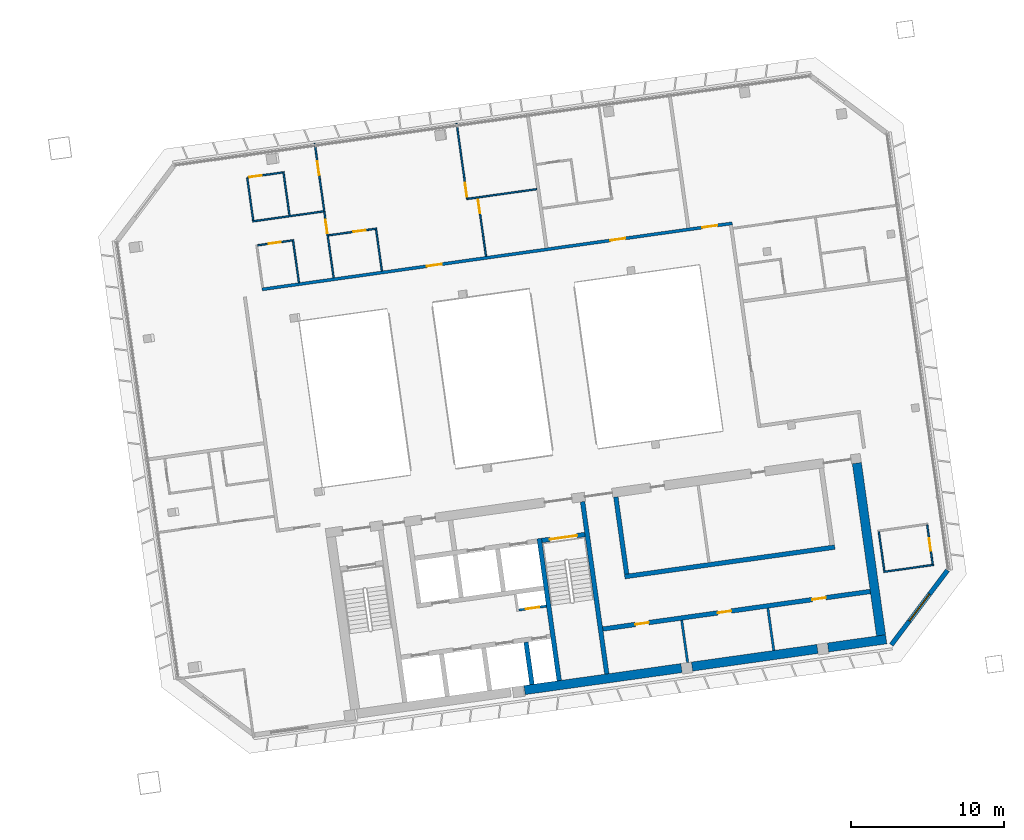
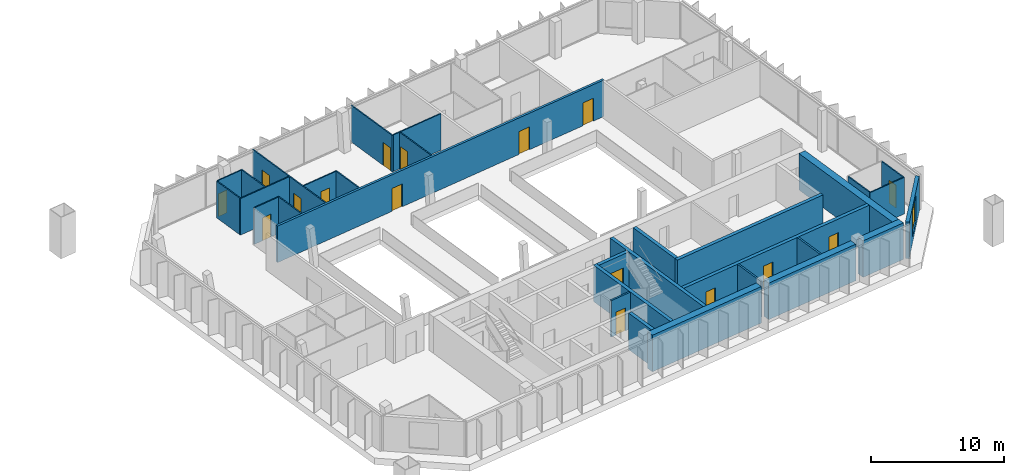
# One storey, part 16 of 20: 31 walls, 16 doors, 1 window, 17 openings.
"""IFC4 building model written with IfcOpenShell, lengths in metres."""

from ifc_helpers import new_model, si_unit, direction, frame, frame_2d, origin, place, context, subcontext, project, spatial, rectangle, extrude, material, layer, layer_set, type_object, element, fill, save


model = new_model("IFC4")

# Units and contexts
model_context = context("Model", 3, precision=1e-05, world=origin(), true_north=direction((0.0, 1.0)))
body_context = subcontext(model_context, "Body", "Model", "MODEL_VIEW")
ifc_project = project(units=[si_unit("LENGTHUNIT", "METRE"), si_unit("AREAUNIT", "SQUARE_METRE"), si_unit("VOLUMEUNIT", "CUBIC_METRE"), si_unit("PLANEANGLEUNIT", "RADIAN"), si_unit("MASSUNIT", "GRAM", prefix="KILO")], contexts=[model_context])

# Site, building, storey
site_placement = place(None, origin())
site = spatial("IfcSite", under=ifc_project, at=site_placement, CompositionType="ELEMENT")
building_placement = place(site_placement, origin())
building = spatial("IfcBuilding", under=site, at=building_placement, Name="Mirante Cascada Hotel Towers", CompositionType="ELEMENT")
storey_placement = place(building_placement, frame((0.0, 0.0, 224.2)))
storey = spatial("IfcBuildingStorey", under=building, at=storey_placement, Name="L53", CompositionType="ELEMENT", Elevation=224.2)

# Wall, openings, doors
ifc_material_1 = material(Name="Fire-rated plasterboard on metal studs")
ifc_layer_1 = layer(ifc_material_1, 0.2)
ifc_layer_set_1 = layer_set([ifc_layer_1], Name="Compartment wall 200 EI 120")
wall_type_1 = type_object("IfcWallType", Name="Compartment wall 200 EI 120", PredefinedType="PARTITIONING", material=ifc_layer_set_1)
wall_1_placement = place(storey_placement, frame((31.471, 8.305, 0.0), z_axis=(0.0, 0.0, 1.0), x_axis=(0.9902679, 0.1391745, 0.0)))
wall_1 = element("IfcWall", 1, at=wall_1_placement, inside=storey, type_object=wall_type_1, Name="Wall 2-L53-14", PredefinedType="PARTITIONING", context=body_context, shape_type="SweptSolid", body=[
    extrude(rectangle(XDim=31.1092, YDim=0.2, at=frame_2d((15.5546, 0.0))), origin(), (0.0, 0.0, 1.0), 3.35),
])
opening_1_placement = place(wall_1_placement, frame((10.8847, 0.0, 0.0)))
opening_1 = element("IfcOpeningElement", 2, at=opening_1_placement, cuts=wall_1, Name="Opening D2-L53-06", PredefinedType="OPENING", context=body_context, shape_type="SweptSolid", body=[
    extrude(rectangle(XDim=1.0, YDim=2.1, at=frame_2d((0.5, 1.05))), frame((0.0, 0.1, 0.0), z_axis=(0.0, -1.0, 0.0), x_axis=(1.0, 0.0, 0.0)), (0.0, 0.0, 1.0), 0.2),
])
opening_2_placement = place(wall_1_placement, frame((23.0244, 0.0, 0.0)))
opening_2 = element("IfcOpeningElement", 3, at=opening_2_placement, cuts=wall_1, Name="Opening D2-L53-07", PredefinedType="OPENING", context=body_context, shape_type="SweptSolid", body=[
    extrude(rectangle(XDim=1.0, YDim=2.1, at=frame_2d((0.5, 1.05))), frame((0.0, 0.1, 0.0), z_axis=(0.0, -1.0, 0.0), x_axis=(1.0, 0.0, 0.0)), (0.0, 0.0, 1.0), 0.2),
])
opening_3_placement = place(wall_1_placement, frame((29.1142, 0.0, 0.0)))
opening_3 = element("IfcOpeningElement", 4, at=opening_3_placement, cuts=wall_1, Name="Opening D2-L53-08", PredefinedType="OPENING", context=body_context, shape_type="SweptSolid", body=[
    extrude(rectangle(XDim=1.0, YDim=2.1, at=frame_2d((0.5, 1.05))), frame((0.0, 0.1, 0.0), z_axis=(0.0, -1.0, 0.0), x_axis=(1.0, 0.0, 0.0)), (0.0, 0.0, 1.0), 0.2),
])
ifc_material_2 = material(Name="Fire-rated timber door leaf", Category="wood")
door_type_1 = type_object("IfcDoorType", Name="Entrance door DG1 1000x2100 EI 60", OperationType="SINGLE_SWING_LEFT", PredefinedType="DOOR", material=ifc_material_2)
door_1_placement = place(opening_1_placement, origin())
door_1 = element("IfcDoor", 5, at=door_1_placement, inside=storey, type_object=door_type_1, Name="Door D2-L53-06", OperationType="SINGLE_SWING_LEFT", OverallHeight=2.1, OverallWidth=1.0, PredefinedType="DOOR", context=body_context, shape_type="SweptSolid", body=[
    extrude(rectangle(XDim=1.0, YDim=2.1, at=frame_2d((0.5, 1.05))), frame((0.0, 0.025, 0.0), z_axis=(0.0, -1.0, 0.0), x_axis=(1.0, 0.0, 0.0)), (0.0, 0.0, 1.0), 0.05),
])
fill(opening_1, door_1)
door_2_placement = place(opening_2_placement, origin())
door_2 = element("IfcDoor", 6, at=door_2_placement, inside=storey, type_object=door_type_1, Name="Door D2-L53-07", OperationType="SINGLE_SWING_LEFT", OverallHeight=2.1, OverallWidth=1.0, PredefinedType="DOOR", context=body_context, shape_type="SweptSolid", body=[
    extrude(rectangle(XDim=1.0, YDim=2.1, at=frame_2d((0.5, 1.05))), frame((0.0, 0.025, 0.0), z_axis=(0.0, -1.0, 0.0), x_axis=(1.0, 0.0, 0.0)), (0.0, 0.0, 1.0), 0.05),
])
fill(opening_2, door_2)
door_3_placement = place(opening_3_placement, origin())
door_3 = element("IfcDoor", 7, at=door_3_placement, inside=storey, type_object=door_type_1, Name="Door D2-L53-08", OperationType="SINGLE_SWING_LEFT", OverallHeight=2.1, OverallWidth=1.0, PredefinedType="DOOR", context=body_context, shape_type="SweptSolid", body=[
    extrude(rectangle(XDim=1.0, YDim=2.1, at=frame_2d((0.5, 1.05))), frame((0.0, 0.025, 0.0), z_axis=(0.0, -1.0, 0.0), x_axis=(1.0, 0.0, 0.0)), (0.0, 0.0, 1.0), 0.05),
])
fill(opening_3, door_3)

# Wall, opening, door
ifc_material_3 = material(Name="Masonry block", Category="masonry")
ifc_layer_2 = layer(ifc_material_3, 0.15)
ifc_layer_set_2 = layer_set([ifc_layer_2], Name="Core room partition 150 block EI 30")
wall_type_2 = type_object("IfcWallType", Name="Core room partition 150 block EI 30", PredefinedType="PARTITIONING", material=ifc_layer_set_2)
wall_2_placement = place(storey_placement, frame((48.2933, -12.7083, 0.0), z_axis=(0.0, 0.0, 1.0), x_axis=(0.990268, 0.1391734, 0.0)))
wall_2 = element("IfcWall", 8, at=wall_2_placement, inside=storey, type_object=wall_type_2, Name="Core wall partition T2 L53 3", PredefinedType="PARTITIONING", context=body_context, shape_type="SweptSolid", body=[
    extrude(rectangle(XDim=1.8251, YDim=0.15, at=frame_2d((0.9126, 0.0))), origin(), (0.0, 0.0, 1.0), 3.35),
])
opening_4_placement = place(wall_2_placement, frame((0.4625, 0.0, 0.0)))
opening_4 = element("IfcOpeningElement", 9, at=opening_4_placement, cuts=wall_2, Name="Opening D2-53-C15", PredefinedType="OPENING", context=body_context, shape_type="SweptSolid", body=[
    extrude(rectangle(XDim=0.9, YDim=2.1, at=frame_2d((0.45, 1.05))), frame((0.0, 0.075, 0.0), z_axis=(0.0, -1.0, 0.0), x_axis=(1.0, 0.0, 0.0)), (0.0, 0.0, 1.0), 0.15),
])
ifc_material_4 = material(Name="Hollow metal fire door leaf")
door_type_2 = type_object("IfcDoorType", Name="Fire door 900x2100 FD60", OperationType="NOTDEFINED", PredefinedType="DOOR", material=ifc_material_4)
door_4_placement = place(opening_4_placement, frame((0.9, 0.0, 0.0), z_axis=(0.0, 0.0, 1.0), x_axis=(-1.0, 0.0, 0.0)))
door_4 = element("IfcDoor", 10, at=door_4_placement, inside=storey, type_object=door_type_2, Name="Riser door T2 L53 15", OperationType="SINGLE_SWING_RIGHT", OverallHeight=2.1, OverallWidth=0.9, PredefinedType="DOOR", context=body_context, shape_type="SweptSolid", body=[
    extrude(rectangle(XDim=0.9, YDim=2.1, at=frame_2d((0.45, 1.05))), frame((0.0, 0.025, 0.0), z_axis=(0.0, -1.0, 0.0), x_axis=(1.0, 0.0, 0.0)), (0.0, 0.0, 1.0), 0.05),
])
fill(opening_4, door_4)

# Walls
for number, where, z_axis, x_axis, name in (
    (11, (59.3553, -16.1523, 0.0), (0.0, 0.0, 1.0), (-0.139176, 0.9902677, 0.0), "Core wall partition T2 L53 5"),
    (12, (64.9998, -15.359, 0.0), (0.0, 0.0, 1.0), (-0.139176, 0.9902677, 0.0), "Core wall partition T2 L53 6"),
):
    element("IfcWall", number, at=place(storey_placement, frame(where, z_axis=z_axis, x_axis=x_axis)), inside=storey, type_object=wall_type_2, Name=name, PredefinedType="PARTITIONING", context=body_context, shape_type="SweptSolid", body=[
        extrude(rectangle(XDim=2.8001, YDim=0.15, at=frame_2d((1.4, 0.0))), origin(), (0.0, 0.0, 1.0), 3.35),
    ])

# Wall, openings, doors
ifc_material_5 = material(Name="Masonry block", Category="masonry")
ifc_layer_3 = layer(ifc_material_5, 0.3)
ifc_layer_set_3 = layer_set([ifc_layer_3], Name="Core wall 300 block EI 120")
wall_type_3 = type_object("IfcWallType", Name="Core wall 300 block EI 120", PredefinedType="PARTITIONING", material=ifc_layer_set_3)
wall_3_placement = place(storey_placement, frame((53.7953, -13.9547, 0.0), z_axis=(0.0, 0.0, 1.0), x_axis=(0.9902678, 0.1391747, 0.0)))
wall_3 = element("IfcWall", 13, at=wall_3_placement, inside=storey, type_object=wall_type_3, Name="Core wall partition T2 L53 4", PredefinedType="PARTITIONING", context=body_context, shape_type="SweptSolid", body=[
    extrude(rectangle(XDim=17.7001, YDim=0.3, at=frame_2d((8.85, 0.0))), origin(), (0.0, 0.0, 1.0), 3.35),
])
opening_5_placement = place(wall_3_placement, frame((2.15, 0.0, 0.0)))
opening_5 = element("IfcOpeningElement", 14, at=opening_5_placement, cuts=wall_3, Name="Opening D2-53-C17", PredefinedType="OPENING", context=body_context, shape_type="SweptSolid", body=[
    extrude(rectangle(XDim=0.9, YDim=2.1, at=frame_2d((0.45, 1.05))), frame((0.0, 0.15, 0.0), z_axis=(0.0, -1.0, 0.0), x_axis=(1.0, 0.0, 0.0)), (0.0, 0.0, 1.0), 0.3),
])
opening_6_placement = place(wall_3_placement, frame((7.6, 0.0, 0.0)))
opening_6 = element("IfcOpeningElement", 15, at=opening_6_placement, cuts=wall_3, Name="Opening D2-53-C18", PredefinedType="OPENING", context=body_context, shape_type="SweptSolid", body=[
    extrude(rectangle(XDim=0.9, YDim=2.1, at=frame_2d((0.45, 1.05))), frame((0.0, 0.15, 0.0), z_axis=(0.0, -1.0, 0.0), x_axis=(1.0, 0.0, 0.0)), (0.0, 0.0, 1.0), 0.3),
])
opening_7_placement = place(wall_3_placement, frame((13.85, 0.0, 0.0)))
opening_7 = element("IfcOpeningElement", 16, at=opening_7_placement, cuts=wall_3, Name="Opening D2-53-C19", PredefinedType="OPENING", context=body_context, shape_type="SweptSolid", body=[
    extrude(rectangle(XDim=0.9, YDim=2.1, at=frame_2d((0.45, 1.05))), frame((0.0, 0.15, 0.0), z_axis=(0.0, -1.0, 0.0), x_axis=(1.0, 0.0, 0.0)), (0.0, 0.0, 1.0), 0.3),
])
door_5_placement = place(opening_5_placement, frame((0.9, 0.0, 0.0), z_axis=(0.0, 0.0, 1.0), x_axis=(-1.0, 0.0, 0.0)))
door_5 = element("IfcDoor", 17, at=door_5_placement, inside=storey, type_object=door_type_2, Name="Room door T2 L53 17", OperationType="SINGLE_SWING_LEFT", OverallHeight=2.1, OverallWidth=0.9, PredefinedType="DOOR", context=body_context, shape_type="SweptSolid", body=[
    extrude(rectangle(XDim=0.9, YDim=2.1, at=frame_2d((0.45, 1.05))), frame((0.0, 0.025, 0.0), z_axis=(0.0, -1.0, 0.0), x_axis=(1.0, 0.0, 0.0)), (0.0, 0.0, 1.0), 0.05),
])
fill(opening_5, door_5)
door_6_placement = place(opening_6_placement, frame((0.9, 0.0, 0.0), z_axis=(0.0, 0.0, 1.0), x_axis=(-1.0, 0.0, 0.0)))
door_6 = element("IfcDoor", 18, at=door_6_placement, inside=storey, type_object=door_type_2, Name="Room door T2 L53 18", OperationType="SINGLE_SWING_LEFT", OverallHeight=2.1, OverallWidth=0.9, PredefinedType="DOOR", context=body_context, shape_type="SweptSolid", body=[
    extrude(rectangle(XDim=0.9, YDim=2.1, at=frame_2d((0.45, 1.05))), frame((0.0, 0.025, 0.0), z_axis=(0.0, -1.0, 0.0), x_axis=(1.0, 0.0, 0.0)), (0.0, 0.0, 1.0), 0.05),
])
fill(opening_6, door_6)
door_7_placement = place(opening_7_placement, frame((0.9, 0.0, 0.0), z_axis=(0.0, 0.0, 1.0), x_axis=(-1.0, 0.0, 0.0)))
door_7 = element("IfcDoor", 19, at=door_7_placement, inside=storey, type_object=door_type_2, Name="Room door T2 L53 19", OperationType="SINGLE_SWING_RIGHT", OverallHeight=2.1, OverallWidth=0.9, PredefinedType="DOOR", context=body_context, shape_type="SweptSolid", body=[
    extrude(rectangle(XDim=0.9, YDim=2.1, at=frame_2d((0.45, 1.05))), frame((0.0, 0.025, 0.0), z_axis=(0.0, -1.0, 0.0), x_axis=(1.0, 0.0, 0.0)), (0.0, 0.0, 1.0), 0.05),
])
fill(opening_7, door_7)

# Wall
ifc_material_6 = material(Name="Plasterboard on metal studs")
ifc_layer_4 = layer(ifc_material_6, 0.1)
ifc_layer_set_4 = layer_set([ifc_layer_4], Name="Partition 100")
wall_type_4 = type_object("IfcWallType", Name="Partition 100", PredefinedType="PARTITIONING", material=ifc_layer_set_4)
wall_4_placement = place(storey_placement, frame((72.2028, -10.2064, 0.0), z_axis=(0.0, 0.0, 1.0), x_axis=(0.990267, 0.139181, 0.0)))
element("IfcWall", 20, at=wall_4_placement, inside=storey, type_object=wall_type_4, Name="Wall 2-L53-02", PredefinedType="PARTITIONING", context=body_context, shape_type="SweptSolid", body=[
    extrude(rectangle(XDim=3.3, YDim=0.1, at=frame_2d((1.65, 0.0))), origin(), (0.0, 0.0, 1.0), 3.35),
])

# Wall, opening, door
wall_5_placement = place(storey_placement, frame((31.1665, 11.1907, 0.0), z_axis=(0.0, 0.0, 1.0), x_axis=(0.9902678, 0.1391749, 0.0)))
wall_5 = element("IfcWall", 21, at=wall_5_placement, inside=storey, type_object=wall_type_4, Name="Wall 2-L53-16", PredefinedType="PARTITIONING", context=body_context, shape_type="SweptSolid", body=[
    extrude(rectangle(XDim=2.3, YDim=0.1, at=frame_2d((1.15, 0.0))), origin(), (0.0, 0.0, 1.0), 3.35),
])
opening_8_placement = place(wall_5_placement, frame((0.75, 0.0, 0.0)))
opening_8 = element("IfcOpeningElement", 22, at=opening_8_placement, cuts=wall_5, Name="Opening D2-L53-09", PredefinedType="OPENING", context=body_context, shape_type="SweptSolid", body=[
    extrude(rectangle(XDim=0.8, YDim=2.1, at=frame_2d((0.4, 1.05))), frame((0.0, 0.05, 0.0), z_axis=(0.0, -1.0, 0.0), x_axis=(1.0, 0.0, 0.0)), (0.0, 0.0, 1.0), 0.1),
])
ifc_material_7 = material(Name="Timber door leaf", Category="wood")
door_type_3 = type_object("IfcDoorType", Name="Bathroom door DG4 800x2100", OperationType="SINGLE_SWING_LEFT", PredefinedType="DOOR", material=ifc_material_7)
door_8_placement = place(opening_8_placement, frame((0.8, 0.0, 0.0), z_axis=(0.0, 0.0, 1.0), x_axis=(-1.0, 0.0, 0.0)))
door_8 = element("IfcDoor", 23, at=door_8_placement, inside=storey, type_object=door_type_3, Name="Door D2-L53-09", OperationType="SINGLE_SWING_RIGHT", OverallHeight=2.1, OverallWidth=0.8, PredefinedType="DOOR", context=body_context, shape_type="SweptSolid", body=[
    extrude(rectangle(XDim=0.8, YDim=2.1, at=frame_2d((0.4, 1.05))), frame((0.0, 0.025, 0.0), z_axis=(0.0, -1.0, 0.0), x_axis=(1.0, 0.0, 0.0)), (0.0, 0.0, 1.0), 0.05),
])
fill(opening_8, door_8)

wall_6_placement = place(storey_placement, frame((38.9795, 12.2888, 0.0), z_axis=(0.0, 0.0, 1.0), x_axis=(-0.9902656, -0.1391906, 0.0)))
wall_6 = element("IfcWall", 24, at=wall_6_placement, inside=storey, type_object=wall_type_4, Name="Wall 2-L53-17", PredefinedType="PARTITIONING", context=body_context, shape_type="SweptSolid", body=[
    extrude(rectangle(XDim=3.1949, YDim=0.1, at=frame_2d((1.5974, 0.0))), origin(), (0.0, 0.0, 1.0), 3.35),
])
opening_9_placement = place(wall_6_placement, frame((0.7398, 0.0, 0.0)))
opening_9 = element("IfcOpeningElement", 25, at=opening_9_placement, cuts=wall_6, Name="Opening D2-L53-10", PredefinedType="OPENING", context=body_context, shape_type="SweptSolid", body=[
    extrude(rectangle(XDim=0.8, YDim=2.1, at=frame_2d((0.4, 1.05))), frame((0.0, 0.05, 0.0), z_axis=(0.0, -1.0, 0.0), x_axis=(1.0, 0.0, 0.0)), (0.0, 0.0, 1.0), 0.1),
])
door_9_placement = place(opening_9_placement, frame((0.8, 0.0, 0.0), z_axis=(0.0, 0.0, 1.0), x_axis=(-1.0, 0.0, 0.0)))
door_9 = element("IfcDoor", 26, at=door_9_placement, inside=storey, type_object=door_type_3, Name="Door D2-L53-10", OperationType="SINGLE_SWING_RIGHT", OverallHeight=2.1, OverallWidth=0.8, PredefinedType="DOOR", context=body_context, shape_type="SweptSolid", body=[
    extrude(rectangle(XDim=0.8, YDim=2.1, at=frame_2d((0.4, 1.05))), frame((0.0, 0.025, 0.0), z_axis=(0.0, -1.0, 0.0), x_axis=(1.0, 0.0, 0.0)), (0.0, 0.0, 1.0), 0.05),
])
fill(opening_9, door_9)

# Walls
wall_7_placement = place(storey_placement, frame((44.961, 14.2402, 0.0), z_axis=(0.0, 0.0, 1.0), x_axis=(0.9902686, 0.1391692, 0.0)))
element("IfcWall", 27, at=wall_7_placement, inside=storey, type_object=wall_type_4, Name="Wall 2-L53-18", PredefinedType="PARTITIONING", context=body_context, shape_type="SweptSolid", body=[
    extrude(rectangle(XDim=4.5448, YDim=0.1, at=frame_2d((2.2724, 0.0))), origin(), (0.0, 0.0, 1.0), 3.35),
])
wall_8_placement = place(storey_placement, frame((30.8448, 12.7612, 0.0), z_axis=(0.0, 0.0, 1.0), x_axis=(0.9902681, 0.1391726, 0.0)))
element("IfcWall", 28, at=wall_8_placement, inside=storey, type_object=wall_type_4, Name="Wall 2-L53-20", PredefinedType="PARTITIONING", context=body_context, shape_type="SweptSolid", body=[
    extrude(rectangle(XDim=4.6949, YDim=0.1, at=frame_2d((2.3474, 0.0))), origin(), (0.0, 0.0, 1.0), 3.35),
])

# Wall, opening, door
wall_9_placement = place(storey_placement, frame((30.5402, 15.6469, 0.0), z_axis=(0.0, 0.0, 1.0), x_axis=(0.9902678, 0.1391749, 0.0)))
wall_9 = element("IfcWall", 29, at=wall_9_placement, inside=storey, type_object=wall_type_4, Name="Wall 2-L53-22", PredefinedType="PARTITIONING", context=body_context, shape_type="SweptSolid", body=[
    extrude(rectangle(XDim=2.3, YDim=0.1, at=frame_2d((1.15, 0.0))), origin(), (0.0, 0.0, 1.0), 3.35),
])
opening_10_placement = place(wall_9_placement, frame((0.1, 0.0, 0.0)))
opening_10 = element("IfcOpeningElement", 30, at=opening_10_placement, cuts=wall_9, Name="Opening D2-L53-13", PredefinedType="OPENING", context=body_context, shape_type="SweptSolid", body=[
    extrude(rectangle(XDim=0.8, YDim=2.1, at=frame_2d((0.4, 1.05))), frame((0.0, 0.05, 0.0), z_axis=(0.0, -1.0, 0.0), x_axis=(1.0, 0.0, 0.0)), (0.0, 0.0, 1.0), 0.1),
])
door_10_placement = place(opening_10_placement, frame((0.8, 0.0, 0.0), z_axis=(0.0, 0.0, 1.0), x_axis=(-1.0, 0.0, 0.0)))
door_10 = element("IfcDoor", 31, at=door_10_placement, inside=storey, type_object=door_type_3, Name="Door D2-L53-13", OperationType="SINGLE_SWING_RIGHT", OverallHeight=2.1, OverallWidth=0.8, PredefinedType="DOOR", context=body_context, shape_type="SweptSolid", body=[
    extrude(rectangle(XDim=0.8, YDim=2.1, at=frame_2d((0.4, 1.05))), frame((0.0, 0.025, 0.0), z_axis=(0.0, -1.0, 0.0), x_axis=(1.0, 0.0, 0.0)), (0.0, 0.0, 1.0), 0.05),
])
fill(opening_10, door_10)

# Walls
wall_10_placement = place(storey_placement, frame((30.4948, 15.6103, 0.0), z_axis=(0.0, 0.0, 1.0), x_axis=(0.139173, -0.9902681, 0.0)))
element("IfcWall", 32, at=wall_10_placement, inside=storey, type_object=wall_type_4, Name="Wall 2-L53-29", PredefinedType="PARTITIONING", context=body_context, shape_type="SweptSolid", body=[
    extrude(rectangle(XDim=2.7901, YDim=0.1, at=frame_2d((1.395, 0.0))), origin(), (0.0, 0.0, 1.0), 3.35),
])
wall_11_placement = place(storey_placement, frame((33.8833, 8.745, 0.0), z_axis=(0.0, 0.0, 1.0), x_axis=(-0.1391909, 0.9902656, 0.0)))
element("IfcWall", 33, at=wall_11_placement, inside=storey, type_object=wall_type_4, Name="Wall 2-L53-30", PredefinedType="PARTITIONING", context=body_context, shape_type="SweptSolid", body=[
    extrude(rectangle(XDim=2.85, YDim=0.1, at=frame_2d((1.425, 0.0))), origin(), (0.0, 0.0, 1.0), 3.35),
])
wall_12_placement = place(storey_placement, frame((32.8604, 16.0235, 0.0), z_axis=(0.0, 0.0, 1.0), x_axis=(0.1391714, -0.9902683, 0.0)))
element("IfcWall", 34, at=wall_12_placement, inside=storey, type_object=wall_type_4, Name="Wall 2-L53-31", PredefinedType="PARTITIONING", context=body_context, shape_type="SweptSolid", body=[
    extrude(rectangle(XDim=2.9, YDim=0.1, at=frame_2d((1.45, 0.0))), origin(), (0.0, 0.0, 1.0), 3.35),
])

# Wall, openings, doors
wall_13_placement = place(storey_placement, frame((36.1558, 9.0644, 0.0), z_axis=(0.0, 0.0, 1.0), x_axis=(-0.1391684, 0.9902687, 0.0)))
wall_13 = element("IfcWall", 35, at=wall_13_placement, inside=storey, type_object=wall_type_4, Name="Wall 2-L53-32", PredefinedType="PARTITIONING", context=body_context, shape_type="SweptSolid", body=[
    extrude(rectangle(XDim=8.9, YDim=0.1, at=frame_2d((4.45, 0.0))), origin(), (0.0, 0.0, 1.0), 3.35),
])
opening_11_placement = place(wall_13_placement, frame((2.95, 0.0, 0.0)))
opening_11 = element("IfcOpeningElement", 36, at=opening_11_placement, cuts=wall_13, Name="Opening D2-L53-18", PredefinedType="OPENING", context=body_context, shape_type="SweptSolid", body=[
    extrude(rectangle(XDim=0.9, YDim=2.1, at=frame_2d((0.45, 1.05))), frame((0.0, 0.05, 0.0), z_axis=(0.0, -1.0, 0.0), x_axis=(1.0, 0.0, 0.0)), (0.0, 0.0, 1.0), 0.1),
])
opening_12_placement = place(wall_13_placement, frame((6.8, 0.0, 0.0)))
opening_12 = element("IfcOpeningElement", 37, at=opening_12_placement, cuts=wall_13, Name="Opening D2-L53-19", PredefinedType="OPENING", context=body_context, shape_type="SweptSolid", body=[
    extrude(rectangle(XDim=0.9, YDim=2.1, at=frame_2d((0.45, 1.05))), frame((0.0, 0.05, 0.0), z_axis=(0.0, -1.0, 0.0), x_axis=(1.0, 0.0, 0.0)), (0.0, 0.0, 1.0), 0.1),
])
ifc_material_8 = material(Name="Timber door leaf", Category="wood")
door_type_4 = type_object("IfcDoorType", Name="Room door DG3 900x2100", OperationType="SINGLE_SWING_LEFT", PredefinedType="DOOR", material=ifc_material_8)
door_11_placement = place(opening_11_placement, frame((0.9, 0.0, 0.0), z_axis=(0.0, 0.0, 1.0), x_axis=(-1.0, 0.0, 0.0)))
door_11 = element("IfcDoor", 38, at=door_11_placement, inside=storey, type_object=door_type_4, Name="Door D2-L53-18", OperationType="SINGLE_SWING_RIGHT", OverallHeight=2.1, OverallWidth=0.9, PredefinedType="DOOR", context=body_context, shape_type="SweptSolid", body=[
    extrude(rectangle(XDim=0.9, YDim=2.1, at=frame_2d((0.45, 1.05))), frame((0.0, 0.025, 0.0), z_axis=(0.0, -1.0, 0.0), x_axis=(1.0, 0.0, 0.0)), (0.0, 0.0, 1.0), 0.05),
])
fill(opening_11, door_11)
door_12_placement = place(opening_12_placement, frame((0.9, 0.0, 0.0), z_axis=(0.0, 0.0, 1.0), x_axis=(-1.0, 0.0, 0.0)))
door_12 = element("IfcDoor", 39, at=door_12_placement, inside=storey, type_object=door_type_4, Name="Door D2-L53-19", OperationType="SINGLE_SWING_RIGHT", OverallHeight=2.1, OverallWidth=0.9, PredefinedType="DOOR", context=body_context, shape_type="SweptSolid", body=[
    extrude(rectangle(XDim=0.9, YDim=2.1, at=frame_2d((0.45, 1.05))), frame((0.0, 0.025, 0.0), z_axis=(0.0, -1.0, 0.0), x_axis=(1.0, 0.0, 0.0)), (0.0, 0.0, 1.0), 0.05),
])
fill(opening_12, door_12)

# Wall
wall_14_placement = place(storey_placement, frame((38.9369, 12.2323, 0.0), z_axis=(0.0, 0.0, 1.0), x_axis=(0.1391607, -0.9902698, 0.0)))
element("IfcWall", 40, at=wall_14_placement, inside=storey, type_object=wall_type_4, Name="Wall 2-L53-33", PredefinedType="PARTITIONING", context=body_context, shape_type="SweptSolid", body=[
    extrude(rectangle(XDim=2.7501, YDim=0.1, at=frame_2d((1.3751, 0.0))), origin(), (0.0, 0.0, 1.0), 3.35),
])

# Wall, opening, door
wall_15_placement = place(storey_placement, frame((44.9184, 14.1837, 0.0), z_axis=(0.0, 0.0, 1.0), x_axis=(-0.1391671, 0.9902689, 0.0)))
wall_15 = element("IfcWall", 41, at=wall_15_placement, inside=storey, type_object=wall_type_4, Name="Wall 2-L53-34", PredefinedType="PARTITIONING", context=body_context, shape_type="SweptSolid", body=[
    extrude(rectangle(XDim=5.05, YDim=0.1, at=frame_2d((2.525, 0.0))), origin(), (0.0, 0.0, 1.0), 3.35),
])
opening_13_placement = place(wall_15_placement, frame((0.2, 0.0, 0.0)))
opening_13 = element("IfcOpeningElement", 42, at=opening_13_placement, cuts=wall_15, Name="Opening D2-L53-20", PredefinedType="OPENING", context=body_context, shape_type="SweptSolid", body=[
    extrude(rectangle(XDim=0.9, YDim=2.1, at=frame_2d((0.45, 1.05))), frame((0.0, 0.05, 0.0), z_axis=(0.0, -1.0, 0.0), x_axis=(1.0, 0.0, 0.0)), (0.0, 0.0, 1.0), 0.1),
])
door_13_placement = place(opening_13_placement, origin())
door_13 = element("IfcDoor", 43, at=door_13_placement, inside=storey, type_object=door_type_4, Name="Door D2-L53-20", OperationType="SINGLE_SWING_LEFT", OverallHeight=2.1, OverallWidth=0.9, PredefinedType="DOOR", context=body_context, shape_type="SweptSolid", body=[
    extrude(rectangle(XDim=0.9, YDim=2.1, at=frame_2d((0.45, 1.05))), frame((0.0, 0.025, 0.0), z_axis=(0.0, -1.0, 0.0), x_axis=(1.0, 0.0, 0.0)), (0.0, 0.0, 1.0), 0.05),
])
fill(opening_13, door_13)

wall_16_placement = place(storey_placement, frame((45.6065, 14.2804, 0.0), z_axis=(0.0, 0.0, 1.0), x_axis=(0.1391701, -0.9902685, 0.0)))
wall_16 = element("IfcWall", 44, at=wall_16_placement, inside=storey, type_object=wall_type_4, Name="Wall 2-L53-35", PredefinedType="PARTITIONING", context=body_context, shape_type="SweptSolid", body=[
    extrude(rectangle(XDim=3.85, YDim=0.1, at=frame_2d((1.925, 0.0))), origin(), (0.0, 0.0, 1.0), 3.35),
])
opening_14_placement = place(wall_16_placement, frame((0.1, 0.0, 0.0)))
opening_14 = element("IfcOpeningElement", 45, at=opening_14_placement, cuts=wall_16, Name="Opening D2-L53-21", PredefinedType="OPENING", context=body_context, shape_type="SweptSolid", body=[
    extrude(rectangle(XDim=0.9, YDim=2.1, at=frame_2d((0.45, 1.05))), frame((0.0, 0.05, 0.0), z_axis=(0.0, -1.0, 0.0), x_axis=(1.0, 0.0, 0.0)), (0.0, 0.0, 1.0), 0.1),
])
door_14_placement = place(opening_14_placement, frame((0.9, 0.0, 0.0), z_axis=(0.0, 0.0, 1.0), x_axis=(-1.0, 0.0, 0.0)))
door_14 = element("IfcDoor", 46, at=door_14_placement, inside=storey, type_object=door_type_4, Name="Door D2-L53-21", OperationType="SINGLE_SWING_RIGHT", OverallHeight=2.1, OverallWidth=0.9, PredefinedType="DOOR", context=body_context, shape_type="SweptSolid", body=[
    extrude(rectangle(XDim=0.9, YDim=2.1, at=frame_2d((0.45, 1.05))), frame((0.0, 0.025, 0.0), z_axis=(0.0, -1.0, 0.0), x_axis=(1.0, 0.0, 0.0)), (0.0, 0.0, 1.0), 0.05),
])
fill(opening_14, door_14)

# Wall
wall_17_placement = place(storey_placement, frame((72.2454, -10.1499, 0.0), z_axis=(0.0, 0.0, 1.0), x_axis=(-0.1391918, 0.9902654, 0.0)))
element("IfcWall", 47, at=wall_17_placement, inside=storey, type_object=wall_type_4, Name="Wall 2-L53-44", PredefinedType="PARTITIONING", context=body_context, shape_type="SweptSolid", body=[
    extrude(rectangle(XDim=2.6, YDim=0.1, at=frame_2d((1.3, 0.0))), origin(), (0.0, 0.0, 1.0), 3.35),
])

# Wall, opening, door
wall_18_placement = place(storey_placement, frame((75.4142, -9.7045, 0.0), z_axis=(0.0, 0.0, 1.0), x_axis=(-0.1391541, 0.9902707, 0.0)))
wall_18 = element("IfcWall", 48, at=wall_18_placement, inside=storey, type_object=wall_type_4, Name="Wall 2-L53-46", PredefinedType="PARTITIONING", context=body_context, shape_type="SweptSolid", body=[
    extrude(rectangle(XDim=2.6, YDim=0.1, at=frame_2d((1.3, 0.0))), origin(), (0.0, 0.0, 1.0), 3.35),
])
opening_15_placement = place(wall_18_placement, frame((0.9, 0.0, 0.0)))
opening_15 = element("IfcOpeningElement", 49, at=opening_15_placement, cuts=wall_18, Name="Opening D2-L53-26", PredefinedType="OPENING", context=body_context, shape_type="SweptSolid", body=[
    extrude(rectangle(XDim=0.8, YDim=2.1, at=frame_2d((0.4, 1.05))), frame((0.0, 0.05, 0.0), z_axis=(0.0, -1.0, 0.0), x_axis=(1.0, 0.0, 0.0)), (0.0, 0.0, 1.0), 0.1),
])
door_15_placement = place(opening_15_placement, origin())
door_15 = element("IfcDoor", 50, at=door_15_placement, inside=storey, type_object=door_type_3, Name="Door D2-L53-26", OperationType="SINGLE_SWING_LEFT", OverallHeight=2.1, OverallWidth=0.8, PredefinedType="DOOR", context=body_context, shape_type="SweptSolid", body=[
    extrude(rectangle(XDim=0.8, YDim=2.1, at=frame_2d((0.4, 1.05))), frame((0.0, 0.025, 0.0), z_axis=(0.0, -1.0, 0.0), x_axis=(1.0, 0.0, 0.0)), (0.0, 0.0, 1.0), 0.05),
])
fill(opening_15, door_15)

# Wall, opening, window
ifc_material_9 = material(Name="Precast concrete C40/50", Category="concrete")
ifc_layer_5 = layer(ifc_material_9, 0.3)
ifc_layer_set_5 = layer_set([ifc_layer_5], Name="Precast concrete C40/50 cladding wall 300")
wall_type_5 = type_object("IfcWallType", Name="Precast concrete C40/50 cladding wall 300", PredefinedType="STANDARD", material=ifc_layer_set_5)
wall_19_placement = place(storey_placement, frame((72.7051, -14.9892, 0.0), z_axis=(0.0, 0.0, 1.0), x_axis=(0.6018141, 0.7986362, 0.0)))
wall_19 = element("IfcWall", 51, at=wall_19_placement, inside=storey, type_object=wall_type_5, Name="Corner cladding wall T2 L53 rear outer", PredefinedType="STANDARD", context=body_context, shape_type="SweptSolid", body=[
    extrude(rectangle(XDim=6.1157, YDim=0.3, at=frame_2d((3.0578, 0.0))), origin(), (0.0, 0.0, 1.0), 3.35),
])
opening_16_placement = place(wall_19_placement, frame((1.9578, 0.0, 0.6)))
opening_16 = element("IfcOpeningElement", 52, at=opening_16_placement, cuts=wall_19, Name="Opening W2-53-02", PredefinedType="OPENING", context=body_context, shape_type="SweptSolid", body=[
    extrude(rectangle(XDim=2.2, YDim=2.4, at=frame_2d((1.1, 1.2))), frame((0.0, 0.15, 0.0), z_axis=(0.0, -1.0, 0.0), x_axis=(1.0, 0.0, 0.0)), (0.0, 0.0, 1.0), 0.3),
])
ifc_material_10 = material(Name="Aluminium frame with clear double glazing", Category="aluminium")
window_type = type_object("IfcWindowType", Name="Corner suite window 2200x2400", PartitioningType="DOUBLE_PANEL_VERTICAL", PredefinedType="WINDOW", material=ifc_material_10)
window_placement = place(opening_16_placement, origin())
window = element("IfcWindow", 53, at=window_placement, inside=storey, type_object=window_type, Name="Window W2-53-02", OverallHeight=2.4, OverallWidth=2.2, PartitioningType="SINGLE_PANEL", PredefinedType="WINDOW", context=body_context, shape_type="SweptSolid", body=[
    extrude(rectangle(XDim=2.2, YDim=2.4, at=frame_2d((1.1, 1.2))), frame((0.0, 0.03, 0.0), z_axis=(0.0, -1.0, 0.0), x_axis=(1.0, 0.0, 0.0)), (0.0, 0.0, 1.0), 0.06),
])
fill(opening_16, window)

# Walls
ifc_material_11 = material(Name="Concrete C50/60", Category="concrete")
ifc_layer_6 = layer(ifc_material_11, 0.3)
ifc_layer_set_6 = layer_set([ifc_layer_6], Name="RC core wall 300 C50/60")
wall_type_6 = type_object("IfcWallType", Name="RC core wall 300 C50/60", PredefinedType="SHEAR", material=ifc_layer_set_6)
wall_20_placement = place(storey_placement, frame((50.938, -17.3352, 0.0), z_axis=(0.0, 0.0, 1.0), x_axis=(-0.1391706, 0.9902684, 0.0)))
element("IfcWall", 54, at=wall_20_placement, inside=storey, type_object=wall_type_6, Name="Core wall T2:L53:6", PredefinedType="SHEAR", context=body_context, shape_type="SweptSolid", body=[
    extrude(rectangle(XDim=9.4, YDim=0.3, at=frame_2d((4.7, 0.0))), origin(), (0.0, 0.0, 1.0), 3.35),
])
wall_21_placement = place(storey_placement, frame((54.0574, -16.8968, 0.0), z_axis=(0.0, 0.0, 1.0), x_axis=(-0.1391761, 0.9902677, 0.0)))
element("IfcWall", 55, at=wall_21_placement, inside=storey, type_object=wall_type_6, Name="Core wall T2:L53:7", PredefinedType="SHEAR", context=body_context, shape_type="SweptSolid", body=[
    extrude(rectangle(XDim=11.3999, YDim=0.3, at=frame_2d((5.7, 0.0))), origin(), (0.0, 0.0, 1.0), 3.35),
])

# Wall, opening, door
wall_22_placement = place(storey_placement, frame((49.7992, -8.1544, 0.0), z_axis=(0.0, 0.0, 1.0), x_axis=(0.9902656, 0.1391909, 0.0)))
wall_22 = element("IfcWall", 56, at=wall_22_placement, inside=storey, type_object=wall_type_6, Name="Core wall T2:L53:9", PredefinedType="SHEAR", context=body_context, shape_type="SweptSolid", body=[
    extrude(rectangle(XDim=2.85, YDim=0.3, at=frame_2d((1.425, 0.0))), origin(), (0.0, 0.0, 1.0), 3.35),
])
opening_17_placement = place(wall_22_placement, frame((0.525, 0.0, 0.0)))
opening_17 = element("IfcOpeningElement", 57, at=opening_17_placement, cuts=wall_22, Name="Opening D2-53-C09", PredefinedType="OPENING", context=body_context, shape_type="SweptSolid", body=[
    extrude(rectangle(XDim=1.8, YDim=2.1, at=frame_2d((0.9, 1.05))), frame((0.0, 0.15, 0.0), z_axis=(0.0, -1.0, 0.0), x_axis=(1.0, 0.0, 0.0)), (0.0, 0.0, 1.0), 0.3),
])
ifc_material_12 = material(Name="Hollow metal fire door leaf")
door_type_5 = type_object("IfcDoorType", Name="Double fire door 1800x2100 FD60", OperationType="DOUBLE_DOOR_SINGLE_SWING", PredefinedType="DOOR", material=ifc_material_12)
door_16_placement = place(opening_17_placement, frame((1.8, 0.0, 0.0), z_axis=(0.0, 0.0, 1.0), x_axis=(-1.0, 0.0, 0.0)))
door_16 = element("IfcDoor", 58, at=door_16_placement, inside=storey, type_object=door_type_5, Name="Stair door T2 L53 9", OperationType="DOUBLE_DOOR_SINGLE_SWING", OverallHeight=2.1, OverallWidth=1.8, PredefinedType="DOOR", context=body_context, shape_type="SweptSolid", body=[
    extrude(rectangle(XDim=0.895, YDim=2.1, at=frame_2d((0.4475, 1.05))), frame((0.0, 0.025, 0.0), z_axis=(0.0, -1.0, 0.0), x_axis=(1.0, 0.0, 0.0)), (0.0, 0.0, 1.0), 0.05),
    extrude(rectangle(XDim=0.895, YDim=2.1, at=frame_2d((1.3525, 1.05))), frame((0.0, 0.025, 0.0), z_axis=(0.0, -1.0, 0.0), x_axis=(1.0, 0.0, 0.0)), (0.0, 0.0, 1.0), 0.05),
])
fill(opening_17, door_16)

# Walls
wall_23_placement = place(storey_placement, frame((49.1555, -17.5857, 0.0), z_axis=(0.0, 0.0, 1.0), x_axis=(-0.1391459, 0.9902719, 0.0)))
element("IfcWall", 59, at=wall_23_placement, inside=storey, type_object=wall_type_6, Name="Core wall T2:L53:15", PredefinedType="SHEAR", context=body_context, shape_type="SweptSolid", body=[
    extrude(rectangle(XDim=2.7999, YDim=0.3, at=frame_2d((1.4, 0.0))), origin(), (0.0, 0.0, 1.0), 3.35),
])
wall_24_placement = place(storey_placement, frame((55.2315, -10.5214, 0.0), z_axis=(0.0, 0.0, 1.0), x_axis=(0.9902681, 0.1391729, 0.0)))
element("IfcWall", 60, at=wall_24_placement, inside=storey, type_object=wall_type_6, Name="Core wall T2:L53:25", PredefinedType="SHEAR", context=body_context, shape_type="SweptSolid", body=[
    extrude(rectangle(XDim=13.9, YDim=0.3, at=frame_2d((6.95, 0.0))), origin(), (0.0, 0.0, 1.0), 3.35),
])
wall_25_placement = place(storey_placement, frame((55.3592, -10.352, 0.0), z_axis=(0.0, 0.0, 1.0), x_axis=(-0.1391755, 0.9902677, 0.0)))
element("IfcWall", 61, at=wall_25_placement, inside=storey, type_object=wall_type_6, Name="Core wall T2:L53:26", PredefinedType="SHEAR", context=body_context, shape_type="SweptSolid", body=[
    extrude(rectangle(XDim=5.1, YDim=0.3, at=frame_2d((2.55, 0.0))), origin(), (0.0, 0.0, 1.0), 3.35),
])
ifc_material_13 = material(Name="Concrete C50/60", Category="concrete")
ifc_layer_7 = layer(ifc_material_13, 0.6)
ifc_layer_set_7 = layer_set([ifc_layer_7], Name="RC core wall 600 C50/60")
wall_type_7 = type_object("IfcWallType", Name="RC core wall 600 C50/60", PredefinedType="SHEAR", material=ifc_layer_set_7)
wall_26_placement = place(storey_placement, frame((48.6678, -17.9572, 0.0), z_axis=(0.0, 0.0, 1.0), x_axis=(0.9902689, 0.1391669, 0.0)))
element("IfcWall", 62, at=wall_26_placement, inside=storey, type_object=wall_type_7, Name="Core wall T2:L53:1.2", PredefinedType="SHEAR", context=body_context, shape_type="SweptSolid", body=[
    extrude(rectangle(XDim=10.3847, YDim=0.6, at=frame_2d((5.1924, 0.0))), origin(), (0.0, 0.0, 1.0), 3.35),
])
wall_27_placement = place(storey_placement, frame((59.6446, -16.4145, 0.0), z_axis=(0.0, 0.0, 1.0), x_axis=(0.9902686, 0.1391692, 0.0)))
element("IfcWall", 63, at=wall_27_placement, inside=storey, type_object=wall_type_7, Name="Core wall T2:L53:1.3", PredefinedType="SHEAR", context=body_context, shape_type="SweptSolid", body=[
    extrude(rectangle(XDim=8.3, YDim=0.6, at=frame_2d((4.15, 0.0))), origin(), (0.0, 0.0, 1.0), 3.35),
])
wall_28_placement = place(storey_placement, frame((68.557, -15.162, 0.0), z_axis=(0.0, 0.0, 1.0), x_axis=(0.990269, 0.1391665, 0.0)))
element("IfcWall", 64, at=wall_28_placement, inside=storey, type_object=wall_type_7, Name="Core wall T2:L53:1.4", PredefinedType="SHEAR", context=body_context, shape_type="SweptSolid", body=[
    extrude(rectangle(XDim=3.8501, YDim=0.6, at=frame_2d((1.925, 0.0))), origin(), (0.0, 0.0, 1.0), 3.35),
])
wall_29_placement = place(storey_placement, frame((72.0307, -14.3708, 0.0), z_axis=(0.0, 0.0, 1.0), x_axis=(-0.1391675, 0.9902689, 0.0)))
element("IfcWall", 65, at=wall_29_placement, inside=storey, type_object=wall_type_7, Name="Core wall T2:L53:4", PredefinedType="SHEAR", context=body_context, shape_type="SweptSolid", body=[
    extrude(rectangle(XDim=11.3999, YDim=0.6, at=frame_2d((5.7, 0.0))), origin(), (0.0, 0.0, 1.0), 3.35),
])

save(model, "model.ifc")
